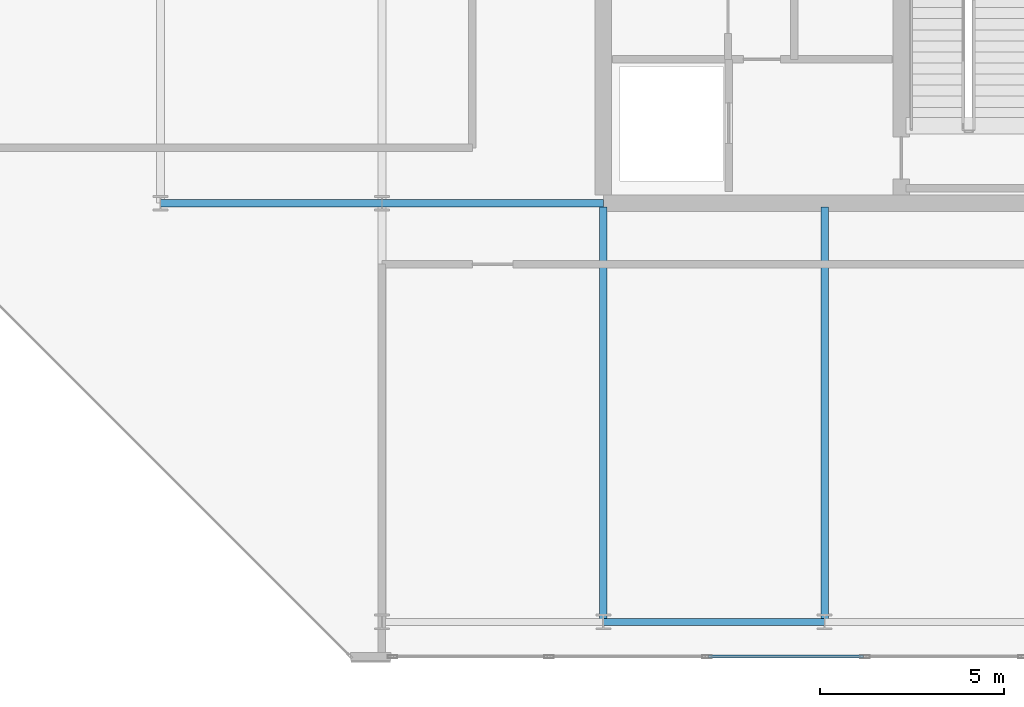
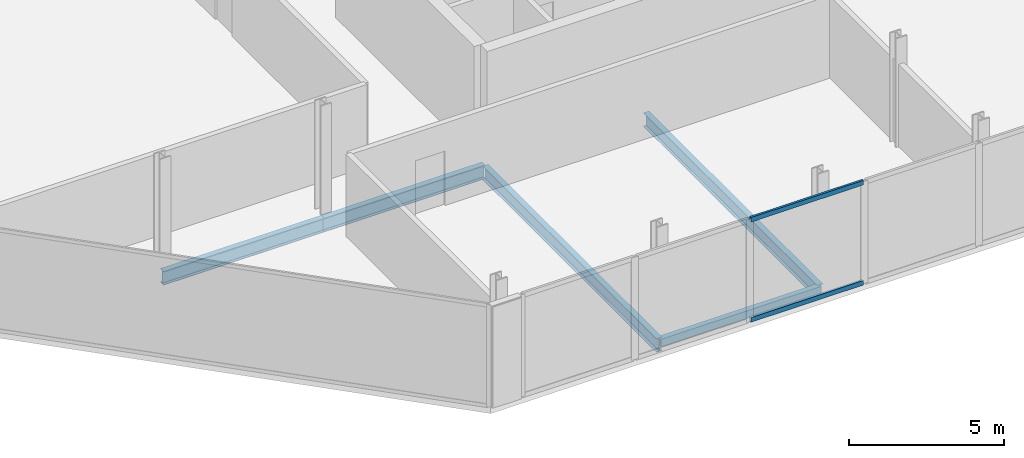
# One storey, part 3 of 16: 5 beams, 2 members, 1 element without a shape of its own.
"""IFC4 building model written with IfcOpenShell, lengths in metres."""

import ifcopenshell
import ifcopenshell.guid

model = None  # the IFC model being written
_history = None  # IfcOwnerHistory: only IFC2X3 demands one
_inside = {}  # id of a spatial element -> (the spatial element, [elements in it])
_under = {}  # id of a project, library or spatial element -> (it, [spatial elements below it])
_declared = {}  # id of a project -> (the project, [libraries it declares])
_typed = {}  # id of a type object -> (the type object, [elements of that type])
_made_of = {}  # id of a material, layer set ... -> (it, [elements and type objects made of it])


def new_model(schema):
    """Start an empty IFC model of exactly this schema.

    Asked for "IFC4X3", IfcOpenShell would pick the latest addendum, in which some entities
    have other attributes; the version numbers below select the first issue.
    IFC2X3 requires an IfcOwnerHistory on every rooted entity: one is made here for all.
    """
    global model, _history
    if schema == "IFC4X3":
        model = ifcopenshell.file(schema_version=(4, 3, 0, 0))
    else:
        model = ifcopenshell.file(schema=schema)
    _inside.clear()
    _under.clear()
    _declared.clear()
    _typed.clear()
    _made_of.clear()
    _history = None
    if model.schema == "IFC2X3":
        org = make("IfcOrganization", Name="unknown")
        user = make(
            "IfcPersonAndOrganization",
            ThePerson=make("IfcPerson", FamilyName="unknown"),
            TheOrganization=org,
        )
        app = make(
            "IfcApplication",
            ApplicationDeveloper=org,
            Version="unknown",
            ApplicationFullName="unknown",
            ApplicationIdentifier="unknown",
        )
        _history = make(
            "IfcOwnerHistory",
            OwningUser=user,
            OwningApplication=app,
            ChangeAction="ADDED",
            CreationDate=0,
        )
    return model


def make(cls, **values):
    """One entity of the class cls with the attributes given. An attribute that is None is left unset."""
    return model.create_entity(
        cls, **{name: value for name, value in values.items() if value is not None}
    )


def rooted(cls, **values):
    """An entity with a GlobalId (a new one), such as an element, a storey or a relation."""
    return make(cls, GlobalId=ifcopenshell.guid.new(), OwnerHistory=_history, **values)


def si_unit(unit_type, name, prefix=None):
    """IfcSIUnit, for example si_unit("LENGTHUNIT", "METRE", prefix="MILLI")."""
    return make("IfcSIUnit", UnitType=unit_type, Prefix=prefix, Name=name)


def assignment(units):
    """IfcUnitAssignment: the units of a project."""
    return None if units is None else make("IfcUnitAssignment", Units=units)


def point(xyz):
    """IfcCartesianPoint."""
    return None if xyz is None else make("IfcCartesianPoint", Coordinates=xyz)


def direction(xyz):
    """IfcDirection."""
    return None if xyz is None else make("IfcDirection", DirectionRatios=xyz)


def frame(location, z_axis=None, x_axis=None):
    """IfcAxis2Placement3D, a coordinate frame: its origin and axes. An axis left out is left unset."""
    return make(
        "IfcAxis2Placement3D",
        Location=point(location),
        Axis=direction(z_axis),
        RefDirection=direction(x_axis),
    )


def frame_2d(location, x_axis=None):
    """IfcAxis2Placement2D, a coordinate frame in the plane: its origin and x axis."""
    return make(
        "IfcAxis2Placement2D", Location=point(location), RefDirection=direction(x_axis)
    )


def origin():
    """The frame at (0, 0, 0) with its axes left unset."""
    return frame((0.0, 0.0, 0.0))


def origin_2d():
    """The frame at (0, 0) in the plane with its x axis left unset."""
    return frame_2d((0.0, 0.0))


def place(relative_to, where):
    """IfcLocalPlacement: puts the frame where relative to a parent placement (None: the world)."""
    return make(
        "IfcLocalPlacement", PlacementRelTo=relative_to, RelativePlacement=where
    )


def context(
    kind, dimensions, precision=None, world=None, true_north=None, identifier=None
):
    """IfcGeometricRepresentationContext, for example the 3D "Model" context."""
    return make(
        "IfcGeometricRepresentationContext",
        ContextIdentifier=identifier,
        ContextType=kind,
        CoordinateSpaceDimension=dimensions,
        Precision=precision,
        WorldCoordinateSystem=world,
        TrueNorth=true_north,
    )


def subcontext(parent, identifier, kind, view, scale=None):
    """IfcGeometricRepresentationSubContext, for example "Body" below "Model"."""
    return make(
        "IfcGeometricRepresentationSubContext",
        ContextIdentifier=identifier,
        ContextType=kind,
        ParentContext=parent,
        TargetScale=scale,
        TargetView=view,
    )


def project(units=None, contexts=None):
    """IfcProject with its units and contexts."""
    return rooted(
        "IfcProject",
        Name="project",
        RepresentationContexts=contexts,
        UnitsInContext=assignment(units),
    )


def spatial(cls, under=None, at=None, **own):
    """A site, building, storey or space (cls), placed at a placement, below another one or the project."""
    s = rooted(cls, ObjectPlacement=at, **own)
    if under is not None:
        _under.setdefault(under.id(), (under, []))[1].append(s)
    return s


def profile(cls, at=None, kind="AREA", **sizes):
    """A parametric profile (cls). Its sizes go by their IFC names, for example OverallWidth=200.0."""
    return make(cls, ProfileType=kind, Position=at, **sizes)


def hollow_rectangle(**sizes):
    """IfcRectangleHollowProfileDef."""
    return profile("IfcRectangleHollowProfileDef", **sizes)


def i_section(**sizes):
    """IfcIShapeProfileDef."""
    return profile("IfcIShapeProfileDef", **sizes)


def extrude(swept, where, along, depth):
    """IfcExtrudedAreaSolid: the profile swept, set in the frame where, extruded along a direction by depth."""
    return make(
        "IfcExtrudedAreaSolid",
        SweptArea=swept,
        Position=where,
        ExtrudedDirection=direction(along),
        Depth=depth,
    )


def shape(context_of_items, identifier, shape_type, items):
    """IfcShapeRepresentation: the items that make up one representation, for example the "Body"."""
    return make(
        "IfcShapeRepresentation",
        ContextOfItems=context_of_items,
        RepresentationIdentifier=identifier,
        RepresentationType=shape_type,
        Items=items,
    )


def material(Name=None, Category=None):
    """IfcMaterial."""
    return make("IfcMaterial", Name=Name, Category=Category)


def layer(
    of_material, thickness, ventilated=None, Name=None, Category=None, Priority=None
):
    """IfcMaterialLayer: one layer of a wall or slab, of a material (None: an air gap)."""
    return make(
        "IfcMaterialLayer",
        Material=of_material,
        LayerThickness=thickness,
        IsVentilated=ventilated,
        Name=Name,
        Category=Category,
        Priority=Priority,
    )


def layer_set(layers, Name=None):
    """IfcMaterialLayerSet."""
    return make("IfcMaterialLayerSet", MaterialLayers=layers, LayerSetName=Name)


def material_profile(
    of_material, cross_section, Name=None, Category=None, Priority=None
):
    """IfcMaterialProfile: a cross section and its material."""
    return make(
        "IfcMaterialProfile",
        Name=Name,
        Material=of_material,
        Profile=cross_section,
        Priority=Priority,
        Category=Category,
    )


def profile_set(profiles, Name=None, composite=None):
    """IfcMaterialProfileSet."""
    return make(
        "IfcMaterialProfileSet",
        Name=Name,
        MaterialProfiles=profiles,
        CompositeProfile=composite,
    )


def made_of(thing, what):
    """Note that an element or type object is made of a material, layer set ...; save() writes the relation."""
    if what is not None:
        _made_of.setdefault(what.id(), (what, []))[1].append(thing)
    return thing


def type_object(cls, material=None, **own):
    """A type object (cls), such as IfcWallType, which elements share."""
    return made_of(rooted(cls, **own), material)


def element(
    cls,
    number,
    at=None,
    inside=None,
    cuts=None,
    type_object=None,
    material=None,
    context=None,
    identifier="Body",
    shape_type=None,
    held_by="IfcProductDefinitionShape",
    body=None,
    shapes=None,
    **own,
):
    """One element of the class cls, such as IfcWall. Its Tag is "e" and its number.

    at: its placement. inside: the storey or other place that contains it. cuts: it is an
    opening in that element (IfcRelVoidsElement). A single representation is given by context,
    identifier, shape_type and body (its items); several are given by shapes. held_by: the class
    of the entity that holds the representations. save() writes the other relations.
    """
    e = rooted(cls, Tag="e%d" % number, ObjectPlacement=at, **own)
    if body is not None:
        shapes = [shape(context, identifier, shape_type, body)]
    if shapes is not None:
        e.Representation = make(held_by, Representations=shapes)
    if inside is not None:
        _inside.setdefault(inside.id(), (inside, []))[1].append(e)
    if cuts is not None:
        rooted(
            "IfcRelVoidsElement", RelatingBuildingElement=cuts, RelatedOpeningElement=e
        )
    if type_object is not None:
        _typed.setdefault(type_object.id(), (type_object, []))[1].append(e)
    return made_of(e, material)


def aggregate(whole, parts):
    """IfcRelAggregates: a whole, such as a stair, and the parts it consists of."""
    return rooted("IfcRelAggregates", RelatingObject=whole, RelatedObjects=parts)


def save(model, path):
    """Write the relations noted so far, then the file.

    IfcRelAggregates (storeys below a building ...), IfcRelContainedInSpatialStructure (elements
    in a storey), IfcRelDefinesByType, IfcRelAssociatesMaterial and IfcRelDeclares: one each for
    every whole, place, type object, material and project.
    """
    for whole, parts in _under.values():
        aggregate(whole, parts)
    for where, things in _inside.values():
        rooted(
            "IfcRelContainedInSpatialStructure",
            RelatedElements=things,
            RelatingStructure=where,
        )
    for kind, things in _typed.values():
        rooted("IfcRelDefinesByType", RelatedObjects=things, RelatingType=kind)
    for what, things in _made_of.values():
        rooted("IfcRelAssociatesMaterial", RelatedObjects=things, RelatingMaterial=what)
    for by, libraries in _declared.values():
        rooted("IfcRelDeclares", RelatingContext=by, RelatedDefinitions=libraries)
    model.write(path)


model = new_model("IFC4")

# Units and contexts
model_context = context("Model", 3, precision=1e-05, world=origin(), true_north=direction((0.0, 1.0)))
body_context = subcontext(model_context, "Body", "Model", "MODEL_VIEW")
ifc_project = project(units=[si_unit("LENGTHUNIT", "METRE"), si_unit("AREAUNIT", "SQUARE_METRE"), si_unit("VOLUMEUNIT", "CUBIC_METRE"), si_unit("PLANEANGLEUNIT", "RADIAN"), si_unit("MASSUNIT", "GRAM", prefix="KILO")], contexts=[model_context])

# Site, building, storey
site_placement = place(None, origin())
site = spatial("IfcSite", under=ifc_project, at=site_placement, CompositionType="ELEMENT")
building_placement = place(site_placement, origin())
building = spatial("IfcBuilding", under=site, at=building_placement, Name="Tanjung Sevakor Pilgrim Tower", CompositionType="ELEMENT")
storey_placement = place(building_placement, frame((0.0, 0.0, 278.85009765625)))
storey = spatial("IfcBuildingStorey", under=building, at=storey_placement, Name="L78", CompositionType="ELEMENT", Elevation=278.85009765625)

# Beams
ifc_material_1 = material(Name="Steel S355J2", Category="steel")
ifc_material_profile_1 = material_profile(ifc_material_1, i_section(OverallWidth=0.2119140625, OverallDepth=0.54443359375, WebThickness=0.0126953125, FlangeThickness=0.021240234375, FilletRadius=0.0126953125, at=origin_2d()))
ifc_profile_set_1 = profile_set([ifc_material_profile_1], Name="Steel S355J2")
beam_type_1 = type_object("IfcBeamType", Name="BM-B-G5-UB_533x210x122", PredefinedType="BEAM", material=ifc_profile_set_1)
for number, where, z_axis, x_axis, name in (
    (1, (66.0, 24.60009765625, -0.532470703125), (1.0, 0.0, 0.0), (0.0, 1.0, 0.0), "L78 Primary Floor Girder EAST Y246-01"),
    (2, (72.0, 24.60009765625, -0.532470703125), (1.0, 0.0, 0.0), (0.0, 1.0, 0.0), "L78 Primary Floor Girder EAST Y246-02"),
):
    element("IfcBeam", number, at=place(storey_placement, frame(where, z_axis=z_axis, x_axis=x_axis)), inside=storey, type_object=beam_type_1, Name=name, PredefinedType="BEAM", context=body_context, shape_type="SweptSolid", body=[
        extrude(i_section(OverallWidth=0.2119140625, OverallDepth=0.54443359375, WebThickness=0.0126953125, FlangeThickness=0.021240234375, FilletRadius=0.0126953125, at=origin_2d()), origin(), (0.0, 0.0, 1.0), 6.0),
    ])
ifc_material_2 = material(Name="Steel S355J2", Category="steel")
ifc_material_profile_2 = material_profile(ifc_material_2, i_section(OverallWidth=0.210693359375, OverallDepth=0.53955078125, WebThickness=0.01171875, FlangeThickness=0.018798828125, FilletRadius=0.0126953125, at=origin_2d()))
ifc_profile_set_2 = profile_set([ifc_material_profile_2], Name="Steel S355J2")
beam_type_2 = type_object("IfcBeamType", Name="BM-B-G6-UB_533x210x109", PredefinedType="BEAM", material=ifc_profile_set_2)
for number, where, z_axis, x_axis, name in (
    (3, (78.0, 13.25, -0.52978515625), (0.0, 1.0, 0.0), (-1.0, 0.0, 0.0), "L78 EAST Girder 005"),
    (4, (84.0, 13.25, -0.52978515625), (0.0, 1.0, 0.0), (-1.0, 0.0, 0.0), "L78 EAST Girder 007"),
):
    element("IfcBeam", number, at=place(storey_placement, frame(where, z_axis=z_axis, x_axis=x_axis)), inside=storey, type_object=beam_type_2, Name=name, PredefinedType="BEAM", context=body_context, shape_type="SweptSolid", body=[
        extrude(i_section(OverallWidth=0.210693359375, OverallDepth=0.53955078125, WebThickness=0.01171875, FlangeThickness=0.018798828125, FilletRadius=0.0126953125, at=origin_2d()), origin(), (0.0, 0.0, 1.0), 11.243896484375),
    ])
ifc_material_3 = material(Name="Steel S355J2", Category="steel")
ifc_material_profile_3 = material_profile(ifc_material_3, hollow_rectangle(XDim=0.199951171875, YDim=0.300048828125, WallThickness=0.012451171875, at=origin_2d()))
ifc_profile_set_3 = profile_set([ifc_material_profile_3], Name="Steel S355J2")
beam_type_3 = type_object("IfcBeamType", Name="BM-B-SP3-RHS_300x200x12.5", PredefinedType="SPANDREL", material=ifc_profile_set_3)
beam_placement = place(storey_placement, frame((78.0, 13.25, -0.41015625), z_axis=(1.0, 0.0, 0.0), x_axis=(0.0, 1.0, 0.0)))
element("IfcBeam", 5, at=beam_placement, inside=storey, type_object=beam_type_3, Name="L78 Spandrel EAST S-03", PredefinedType="SPANDREL", context=body_context, shape_type="SweptSolid", body=[
    extrude(hollow_rectangle(XDim=0.199951171875, YDim=0.300048828125, WallThickness=0.012451171875, at=origin_2d()), origin(), (0.0, 0.0, 1.0), 6.0),
])

# Curtain wall, members
ifc_material_4 = material(Name="Aluminium 6063-T6 and Low-E Glass", Category="aluminium")
ifc_layer = layer(ifc_material_4, 0.219970703125)
ifc_layer_set = layer_set([ifc_layer], Name="CW-SYS-CRNE")
curtain_wall_type = type_object("IfcCurtainWallType", Name="CW-SYS-CRNE", PredefinedType="NOTDEFINED", material=ifc_layer_set)
curtain_wall_placement = place(storey_placement, origin())
curtain_wall = element("IfcCurtainWall", 6, at=curtain_wall_placement, inside=storey, type_object=curtain_wall_type, Name="L78 Curtain Wall CW-CRN-L78-EAST-0-1", PredefinedType="NOTDEFINED")
ifc_material_5 = material(Name="Aluminium 6063-T6", Category="aluminium")
ifc_material_profile_4 = material_profile(ifc_material_5, hollow_rectangle(XDim=0.080078125, YDim=0.179931640625, WallThickness=0.0048828125, at=origin_2d()))
ifc_profile_set_4 = profile_set([ifc_material_profile_4], Name="Aluminium 6063-T6")
member_type = type_object("IfcMemberType", Name="TYPE-CWT-3", PredefinedType="USERDEFINED", material=ifc_profile_set_4)
member_1_placement = place(storey_placement, frame((80.84912109375, 12.31005859375, 0.039794921875), z_axis=(1.0, 0.0, 0.0), x_axis=(0.0, 1.0, 0.0)))
member_1 = element("IfcMember", 7, at=member_1_placement, type_object=member_type, Name="CW-CRE transom 3.1", ObjectType="TRANSOM", PredefinedType="USERDEFINED", context=body_context, shape_type="SweptSolid", body=[
    extrude(hollow_rectangle(XDim=0.080078125, YDim=0.179931640625, WallThickness=0.0048828125, at=origin_2d()), origin(), (0.0, 0.0, 1.0), 4.20166015625),
])
member_2_placement = place(storey_placement, frame((80.84912109375, 12.31005859375, 3.989990234375), z_axis=(1.0, 0.0, 0.0), x_axis=(0.0, 1.0, 0.0)))
member_2 = element("IfcMember", 8, at=member_2_placement, type_object=member_type, Name="CW-CRE transom 3.2", ObjectType="TRANSOM", PredefinedType="USERDEFINED", context=body_context, shape_type="SweptSolid", body=[
    extrude(hollow_rectangle(XDim=0.080078125, YDim=0.179931640625, WallThickness=0.0048828125, at=origin_2d()), origin(), (0.0, 0.0, 1.0), 4.20166015625),
])
aggregate(curtain_wall, [member_1, member_2])

save(model, "model.ifc")
